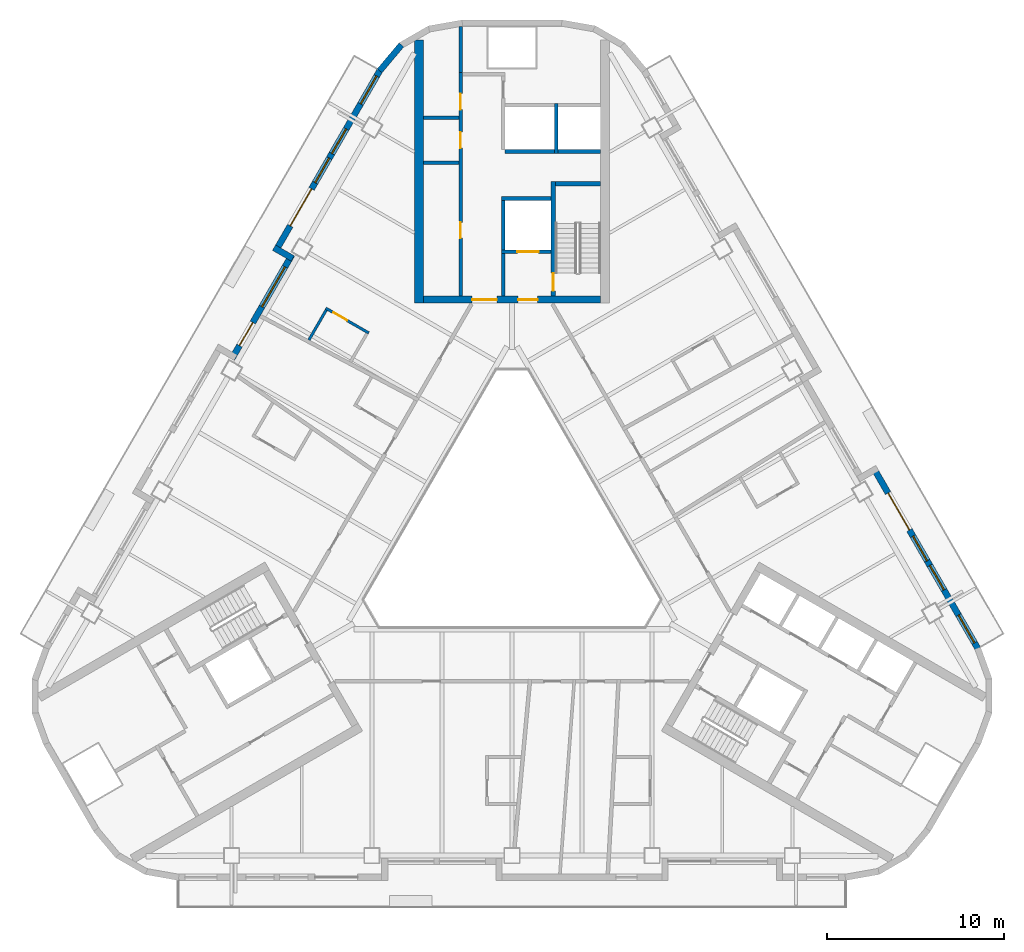
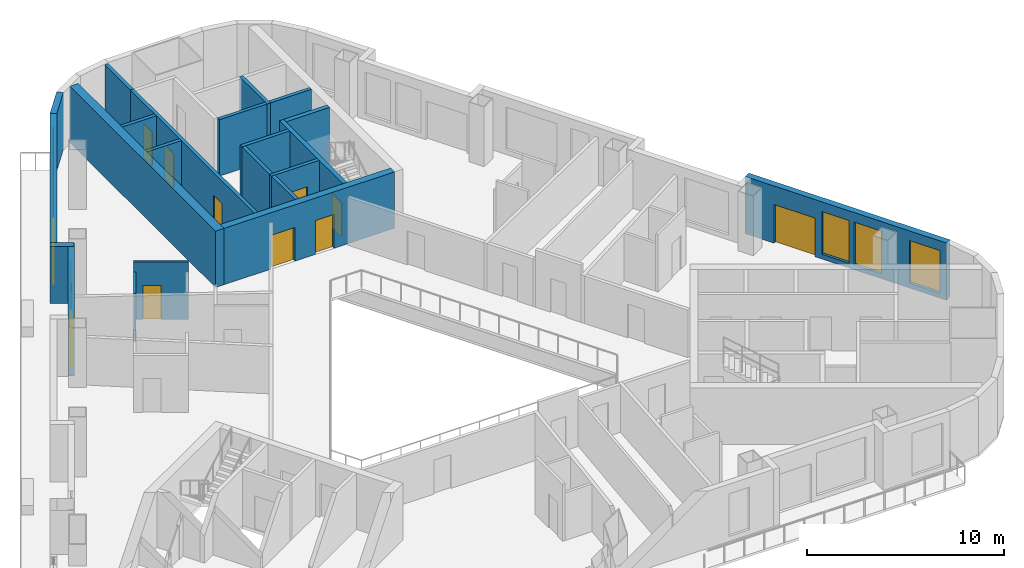
# One storey, part 6 of 13: 22 walls, 11 doors, 7 windows, 18 openings.
"""IFC4 building model written with IfcOpenShell, lengths in metres."""

from ifc_helpers import new_model, si_unit, direction, frame, frame_2d, origin, place, context, subcontext, project, spatial, rectangle, extrude, material, layer, layer_set, type_object, element, fill, save


model = new_model("IFC4")

# Units and contexts
model_context = context("Model", 3, precision=1e-05, world=origin(), true_north=direction((0.0, 1.0)))
body_context = subcontext(model_context, "Body", "Model", "MODEL_VIEW")
ifc_project = project(units=[si_unit("LENGTHUNIT", "METRE"), si_unit("AREAUNIT", "SQUARE_METRE"), si_unit("VOLUMEUNIT", "CUBIC_METRE"), si_unit("PLANEANGLEUNIT", "RADIAN"), si_unit("MASSUNIT", "GRAM", prefix="KILO")], contexts=[model_context])

# Site, building, storey
site_placement = place(None, origin())
site = spatial("IfcSite", under=ifc_project, at=site_placement, CompositionType="ELEMENT")
building_placement = place(site_placement, origin())
building = spatial("IfcBuilding", under=site, at=building_placement, Name="Apuvela Tower Hotel", CompositionType="ELEMENT")
storey_placement = place(building_placement, frame((0.0, 0.0, 124.199951171875)))
storey = spatial("IfcBuildingStorey", under=building, at=storey_placement, Name="L29", CompositionType="ELEMENT", Elevation=124.199951171875)

# Wall, openings, doors
ifc_material_1 = material(Name="Concrete C50/60", Category="concrete")
ifc_layer_1 = layer(ifc_material_1, 0.39990234375)
ifc_layer_set_1 = layer_set([ifc_layer_1], Name="COR-WALL-CORE-400")
wall_type_1 = type_object("IfcWallType", Name="COR-WALL-CORE-400", PredefinedType="SHEAR", material=ifc_layer_set_1)
wall_1_placement = place(storey_placement, frame((5.0, 13.10009765625, 0.0), z_axis=(0.0, 0.0, 1.0), x_axis=(-1.0, 0.0, 0.0)))
wall_1 = element("IfcWall", 1, at=wall_1_placement, inside=storey, type_object=wall_type_1, Name="Core wall N", PredefinedType="SHEAR", context=body_context, shape_type="SweptSolid", body=[
    extrude(rectangle(XDim=10.0, YDim=0.39990234375, at=frame_2d((5.0, 0.0))), origin(), (0.0, 0.0, 1.0), 3.5),
])
opening_1_placement = place(wall_1_placement, frame((3.550048828125, 0.0, 0.0)))
opening_1 = element("IfcOpeningElement", 2, at=opening_1_placement, cuts=wall_1, Name="Opening N-FD", PredefinedType="OPENING", context=body_context, shape_type="SweptSolid", body=[
    extrude(rectangle(XDim=1.10009765625, YDim=2.10009765625, at=frame_2d((0.550048828125, 1.050048828125))), frame((0.0, 0.2099609375, 0.0), z_axis=(0.0, -1.0, 0.0), x_axis=(1.0, 0.0, 0.0)), (0.0, 0.0, 1.0), 0.419921875),
])
opening_2_placement = place(wall_1_placement, frame((5.85009765625, 0.0, 0.0)))
opening_2 = element("IfcOpeningElement", 3, at=opening_2_placement, cuts=wall_1, Name="Opening N-GD", PredefinedType="OPENING", context=body_context, shape_type="SweptSolid", body=[
    extrude(rectangle(XDim=1.39990234375, YDim=2.10009765625, at=frame_2d((0.699951171875, 1.050048828125))), frame((0.0, 0.2099609375, 0.0), z_axis=(0.0, -1.0, 0.0), x_axis=(1.0, 0.0, 0.0)), (0.0, 0.0, 1.0), 0.419921875),
])
ifc_material_2 = material(Name="Steel fire door, powder coated", Category="steel")
door_type_1 = type_object("IfcDoorType", Name="COR-FD-1100", OperationType="NOTDEFINED", PredefinedType="DOOR", material=ifc_material_2)
door_1_placement = place(opening_1_placement, frame((1.10009765625, 0.0, 0.0), z_axis=(0.0, 0.0, 1.0), x_axis=(-1.0, 0.0, 0.0)))
door_1 = element("IfcDoor", 4, at=door_1_placement, inside=storey, type_object=door_type_1, Name="Firefighting lobby door N-FD", OperationType="SINGLE_SWING_LEFT", OverallHeight=2.10009765625, OverallWidth=1.10009765625, PredefinedType="DOOR", context=body_context, shape_type="SweptSolid", body=[
    extrude(rectangle(XDim=1.10009765625, YDim=2.10009765625, at=frame_2d((0.550048828125, 1.050048828125))), frame((0.0, 0.02490234375, 0.0), z_axis=(0.0, -1.0, 0.0), x_axis=(1.0, 0.0, 0.0)), (0.0, 0.0, 1.0), 0.050048828125),
])
fill(opening_1, door_1)
ifc_material_3 = material(Name="Glazed steel fire door", Category="steel")
door_type_2 = type_object("IfcDoorType", Name="COR-GD-1400", OperationType="DOUBLE_DOOR_SINGLE_SWING", PredefinedType="DOOR", material=ifc_material_3)
door_2_placement = place(opening_2_placement, frame((1.39990234375, 0.0, 0.0), z_axis=(0.0, 0.0, 1.0), x_axis=(-1.0, 0.0, 0.0)))
door_2 = element("IfcDoor", 5, at=door_2_placement, inside=storey, type_object=door_type_2, Name="Lift lobby door N-GD", OperationType="DOUBLE_DOOR_SINGLE_SWING", OverallHeight=2.10009765625, OverallWidth=1.39990234375, PredefinedType="DOOR", context=body_context, shape_type="SweptSolid", body=[
    extrude(rectangle(XDim=1.39990234375, YDim=2.10009765625, at=frame_2d((0.699951171875, 1.050048828125))), frame((0.0, 0.02490234375, 0.0), z_axis=(0.0, -1.0, 0.0), x_axis=(1.0, 0.0, 0.0)), (0.0, 0.0, 1.0), 0.050048828125),
])
fill(opening_2, door_2)

# Walls
ifc_layer_2 = layer(ifc_material_1, 0.5)
ifc_layer_set_2 = layer_set([ifc_layer_2], Name="COR-WALL-CORE-500")
wall_type_2 = type_object("IfcWallType", Name="COR-WALL-CORE-500", PredefinedType="SHEAR", material=ifc_layer_set_2)
wall_2_placement = place(storey_placement, frame((-5.25, 12.89990234375, 0.0), z_axis=(0.0, 0.0, 1.0), x_axis=(0.0, 1.0, 0.0)))
element("IfcWall", 6, at=wall_2_placement, inside=storey, type_object=wall_type_2, Name="Core wall N", PredefinedType="SHEAR", context=body_context, shape_type="SweptSolid", body=[
    extrude(rectangle(XDim=14.8369140625, YDim=0.5, at=frame_2d((7.41845703125, 0.0))), origin(), (0.0, 0.0, 1.0), 3.5),
])
ifc_material_4 = material(Name="Blockwork 200 mm plastered", Category="masonry")
ifc_layer_3 = layer(ifc_material_4, 0.199951171875)
ifc_layer_set_3 = layer_set([ifc_layer_3], Name="COR-WALL-PART-200")
wall_type_3 = type_object("IfcWallType", Name="COR-WALL-PART-200", PredefinedType="PARTITIONING", material=ifc_layer_set_3)
wall_3_placement = place(storey_placement, frame((5.0, 21.449951171875, 0.0), z_axis=(0.0, 0.0, 1.0), x_axis=(-1.0, 0.0, 0.0)))
element("IfcWall", 7, at=wall_3_placement, inside=storey, type_object=wall_type_3, Name="Partition N", PredefinedType="PARTITIONING", context=body_context, shape_type="SweptSolid", body=[
    extrude(rectangle(XDim=2.39990234375, YDim=0.199951171875, at=frame_2d((1.199951171875, 0.0))), origin(), (0.0, 0.0, 1.0), 3.5),
])
wall_4_placement = place(storey_placement, frame((2.39990234375, 21.449951171875, 0.0), z_axis=(0.0, 0.0, 1.0), x_axis=(-1.0, 0.0, 0.0)))
element("IfcWall", 8, at=wall_4_placement, inside=storey, type_object=wall_type_3, Name="Partition N", PredefinedType="PARTITIONING", context=body_context, shape_type="SweptSolid", body=[
    extrude(rectangle(XDim=2.7998046875, YDim=0.199951171875, at=frame_2d((1.39990234375, 0.0))), origin(), (0.0, 0.0, 1.0), 3.5),
])
ifc_layer_4 = layer(ifc_material_1, 0.199951171875)
ifc_layer_set_4 = layer_set([ifc_layer_4], Name="COR-WALL-SHAFT-200")
wall_type_4 = type_object("IfcWallType", Name="COR-WALL-SHAFT-200", PredefinedType="SHEAR", material=ifc_layer_set_4)
wall_5_placement = place(storey_placement, frame((2.199951171875, 18.800048828125, 0.0), z_axis=(0.0, 0.0, 1.0), x_axis=(-1.0, 0.0, 0.0)))
element("IfcWall", 9, at=wall_5_placement, inside=storey, type_object=wall_type_4, Name="Shaft wall N", PredefinedType="SHEAR", context=body_context, shape_type="SweptSolid", body=[
    extrude(rectangle(XDim=2.800048828125, YDim=0.199951171875, at=frame_2d((1.39990234375, 0.0))), origin(), (0.0, 0.0, 1.0), 3.5),
])

# Wall, opening, door
wall_6_placement = place(storey_placement, frame((2.199951171875, 15.800048828125, 0.0), z_axis=(0.0, 0.0, 1.0), x_axis=(-1.0, 0.0, 0.0)))
wall_6 = element("IfcWall", 10, at=wall_6_placement, inside=storey, type_object=wall_type_4, Name="Shaft wall N", PredefinedType="SHEAR", context=body_context, shape_type="SweptSolid", body=[
    extrude(rectangle(XDim=2.800048828125, YDim=0.199951171875, at=frame_2d((1.39990234375, 0.0))), origin(), (0.0, 0.0, 1.0), 3.5),
])
opening_3_placement = place(wall_6_placement, frame((0.699951171875, 0.0, 0.0)))
opening_3 = element("IfcOpeningElement", 11, at=opening_3_placement, cuts=wall_6, Name="Opening N-LD-FS1", PredefinedType="OPENING", context=body_context, shape_type="SweptSolid", body=[
    extrude(rectangle(XDim=1.199951171875, YDim=2.10009765625, at=frame_2d((0.60009765625, 1.050048828125))), frame((0.0, 0.10986328125, 0.0), z_axis=(0.0, -1.0, 0.0), x_axis=(1.0, 0.0, 0.0)), (0.0, 0.0, 1.0), 0.219970703125),
])
ifc_material_5 = material(Name="Stainless steel lift landing door", Category="steel")
door_type_3 = type_object("IfcDoorType", Name="COR-LD-1200", OperationType="DOUBLE_DOOR_SLIDING", PredefinedType="DOOR", material=ifc_material_5)
door_3_placement = place(opening_3_placement, origin())
door_3 = element("IfcDoor", 12, at=door_3_placement, inside=storey, type_object=door_type_3, Name="Lift landing door N-LD-FS1", OperationType="DOUBLE_DOOR_SLIDING", OverallHeight=2.10009765625, OverallWidth=1.199951171875, PredefinedType="DOOR", context=body_context, shape_type="SweptSolid", body=[
    extrude(rectangle(XDim=1.199951171875, YDim=2.10009765625, at=frame_2d((0.60009765625, 1.050048828125))), frame((0.0, 0.02490234375, 0.0), z_axis=(0.0, -1.0, 0.0), x_axis=(1.0, 0.0, 0.0)), (0.0, 0.0, 1.0), 0.050048828125),
])
fill(opening_3, door_3)

# Walls
wall_7_placement = place(storey_placement, frame((-0.5, 15.89990234375, 0.0), z_axis=(0.0, 0.0, 1.0), x_axis=(0.0, 1.0, 0.0)))
element("IfcWall", 13, at=wall_7_placement, inside=storey, type_object=wall_type_4, Name="Shaft wall N", PredefinedType="SHEAR", context=body_context, shape_type="SweptSolid", body=[
    extrude(rectangle(XDim=2.800048828125, YDim=0.199951171875, at=frame_2d((1.39990234375, 0.0))), origin(), (0.0, 0.0, 1.0), 3.5),
])
wall_8_placement = place(storey_placement, frame((-0.5, 13.300048828125, 0.0), z_axis=(0.0, 0.0, 1.0), x_axis=(0.0, 1.0, 0.0)))
element("IfcWall", 14, at=wall_8_placement, inside=storey, type_object=wall_type_4, Name="Shaft wall N", PredefinedType="SHEAR", context=body_context, shape_type="SweptSolid", body=[
    extrude(rectangle(XDim=2.39990234375, YDim=0.199951171875, at=frame_2d((1.199951171875, 0.0))), origin(), (0.0, 0.0, 1.0), 3.5),
])

# Wall, openings, doors
wall_9_placement = place(storey_placement, frame((-2.89990234375, 13.300048828125, 0.0), z_axis=(0.0, 0.0, 1.0), x_axis=(0.0, 1.0, 0.0)))
wall_9 = element("IfcWall", 15, at=wall_9_placement, inside=storey, type_object=wall_type_4, Name="Shaft wall N", PredefinedType="SHEAR", context=body_context, shape_type="SweptSolid", body=[
    extrude(rectangle(XDim=12.599853515625, YDim=0.199951171875, at=frame_2d((6.2998046875, 0.0))), origin(), (0.0, 0.0, 1.0), 3.5),
])
opening_4_placement = place(wall_9_placement, frame((3.260009765625, 0.0, 0.0)))
opening_4 = element("IfcOpeningElement", 16, at=opening_4_placement, cuts=wall_9, Name="Opening N-RE1", PredefinedType="OPENING", context=body_context, shape_type="SweptSolid", body=[
    extrude(rectangle(XDim=0.89990234375, YDim=2.10009765625, at=frame_2d((0.449951171875, 1.050048828125))), frame((0.0, 0.10986328125, 0.0), z_axis=(0.0, -1.0, 0.0), x_axis=(1.0, 0.0, 0.0)), (0.0, 0.0, 1.0), 0.219970703125),
])
opening_5_placement = place(wall_9_placement, frame((8.340087890625, 0.0, 0.0)))
opening_5 = element("IfcOpeningElement", 17, at=opening_5_placement, cuts=wall_9, Name="Opening N-RE4", PredefinedType="OPENING", context=body_context, shape_type="SweptSolid", body=[
    extrude(rectangle(XDim=0.89990234375, YDim=2.10009765625, at=frame_2d((0.449951171875, 1.050048828125))), frame((0.0, 0.10986328125, 0.0), z_axis=(0.0, -1.0, 0.0), x_axis=(1.0, 0.0, 0.0)), (0.0, 0.0, 1.0), 0.219970703125),
])
opening_6_placement = place(wall_9_placement, frame((10.510009765625, 0.0, 0.0)))
opening_6 = element("IfcOpeningElement", 18, at=opening_6_placement, cuts=wall_9, Name="Opening N-REP", PredefinedType="OPENING", context=body_context, shape_type="SweptSolid", body=[
    extrude(rectangle(XDim=0.89990234375, YDim=2.10009765625, at=frame_2d((0.449951171875, 1.050048828125))), frame((0.0, 0.10986328125, 0.0), z_axis=(0.0, -1.0, 0.0), x_axis=(1.0, 0.0, 0.0)), (0.0, 0.0, 1.0), 0.219970703125),
])
door_type_4 = type_object("IfcDoorType", Name="COR-DR-900", OperationType="NOTDEFINED", PredefinedType="DOOR", material=ifc_material_2)
door_4_placement = place(opening_4_placement, origin())
door_4 = element("IfcDoor", 19, at=door_4_placement, inside=storey, type_object=door_type_4, Name="Store door N-RE1", OperationType="SINGLE_SWING_LEFT", OverallHeight=2.10009765625, OverallWidth=0.89990234375, PredefinedType="DOOR", context=body_context, shape_type="SweptSolid", body=[
    extrude(rectangle(XDim=0.89990234375, YDim=2.10009765625, at=frame_2d((0.449951171875, 1.050048828125))), frame((0.0, 0.02490234375, 0.0), z_axis=(0.0, -1.0, 0.0), x_axis=(1.0, 0.0, 0.0)), (0.0, 0.0, 1.0), 0.050048828125),
])
fill(opening_4, door_4)
door_5_placement = place(opening_5_placement, origin())
door_5 = element("IfcDoor", 20, at=door_5_placement, inside=storey, type_object=door_type_4, Name="Store door N-RE4", OperationType="SINGLE_SWING_LEFT", OverallHeight=2.10009765625, OverallWidth=0.89990234375, PredefinedType="DOOR", context=body_context, shape_type="SweptSolid", body=[
    extrude(rectangle(XDim=0.89990234375, YDim=2.10009765625, at=frame_2d((0.449951171875, 1.050048828125))), frame((0.0, 0.02490234375, 0.0), z_axis=(0.0, -1.0, 0.0), x_axis=(1.0, 0.0, 0.0)), (0.0, 0.0, 1.0), 0.050048828125),
])
fill(opening_5, door_5)
door_6_placement = place(opening_6_placement, origin())
door_6 = element("IfcDoor", 21, at=door_6_placement, inside=storey, type_object=door_type_4, Name="Store door N-REP", OperationType="SINGLE_SWING_RIGHT", OverallHeight=2.10009765625, OverallWidth=0.89990234375, PredefinedType="DOOR", context=body_context, shape_type="SweptSolid", body=[
    extrude(rectangle(XDim=0.89990234375, YDim=2.10009765625, at=frame_2d((0.449951171875, 1.050048828125))), frame((0.0, 0.02490234375, 0.0), z_axis=(0.0, -1.0, 0.0), x_axis=(1.0, 0.0, 0.0)), (0.0, 0.0, 1.0), 0.050048828125),
])
fill(opening_6, door_6)

# Walls
for number, where, z_axis, x_axis, name in (
    (22, (-3.0, 20.820068359375, 0.0), (0.0, 0.0, 1.0), (-1.0, 0.0, 0.0), "Shaft wall N"),
    (23, (-3.0, 23.360107421875, 0.0), (0.0, 0.0, 1.0), (-1.0, 0.0, 0.0), "Shaft wall N"),
):
    element("IfcWall", number, at=place(storey_placement, frame(where, z_axis=z_axis, x_axis=x_axis)), inside=storey, type_object=wall_type_4, Name=name, PredefinedType="SHEAR", context=body_context, shape_type="SweptSolid", body=[
        extrude(rectangle(XDim=2.0, YDim=0.199951171875, at=frame_2d((1.0, 0.0))), origin(), (0.0, 0.0, 1.0), 3.5),
    ])
wall_10_placement = place(storey_placement, frame((-2.89990234375, 25.89990234375, 0.0), z_axis=(0.0, 0.0, 1.0), x_axis=(0.0, 1.0, 0.0)))
element("IfcWall", 24, at=wall_10_placement, inside=storey, type_object=wall_type_4, Name="Shaft wall N", PredefinedType="SHEAR", context=body_context, shape_type="SweptSolid", body=[
    extrude(rectangle(XDim=2.60009765625, YDim=0.199951171875, at=frame_2d((1.300048828125, 0.0))), origin(), (0.0, 0.0, 1.0), 3.5),
])
wall_11_placement = place(storey_placement, frame((2.5, 21.35009765625, 0.0), z_axis=(0.0, 0.0, 1.0), x_axis=(0.0, 1.0, 0.0)))
element("IfcWall", 25, at=wall_11_placement, inside=storey, type_object=wall_type_4, Name="Shaft wall N", PredefinedType="SHEAR", context=body_context, shape_type="SweptSolid", body=[
    extrude(rectangle(XDim=2.7998046875, YDim=0.199951171875, at=frame_2d((1.39990234375, 0.0))), origin(), (0.0, 0.0, 1.0), 3.5),
])

# Wall, opening, door
ifc_layer_5 = layer(ifc_material_1, 0.25)
ifc_layer_set_5 = layer_set([ifc_layer_5], Name="COR-WALL-STAIR-250")
wall_type_5 = type_object("IfcWallType", Name="COR-WALL-STAIR-250", PredefinedType="SHEAR", material=ifc_layer_set_5)
wall_12_placement = place(storey_placement, frame((2.324951171875, 13.300048828125, 0.0), z_axis=(0.0, 0.0, 1.0), x_axis=(0.0, 1.0, 0.0)))
wall_12 = element("IfcWall", 26, at=wall_12_placement, inside=storey, type_object=wall_type_5, Name="Stair wall N", PredefinedType="SHEAR", context=body_context, shape_type="SweptSolid", body=[
    extrude(rectangle(XDim=6.449951171875, YDim=0.25, at=frame_2d((3.22509765625, 0.0))), origin(), (0.0, 0.0, 1.0), 3.5),
])
opening_7_placement = place(wall_12_placement, frame((0.300048828125, 0.0, 0.0)))
opening_7 = element("IfcOpeningElement", 27, at=opening_7_placement, cuts=wall_12, Name="Opening N-SD", PredefinedType="OPENING", context=body_context, shape_type="SweptSolid", body=[
    extrude(rectangle(XDim=1.0, YDim=2.10009765625, at=frame_2d((0.5, 1.050048828125))), frame((0.0, 0.135009765625, 0.0), z_axis=(0.0, -1.0, 0.0), x_axis=(1.0, 0.0, 0.0)), (0.0, 0.0, 1.0), 0.27001953125),
])
door_type_5 = type_object("IfcDoorType", Name="COR-SD-1000", OperationType="NOTDEFINED", PredefinedType="DOOR", material=ifc_material_2)
door_7_placement = place(opening_7_placement, frame((1.0, 0.0, 0.0), z_axis=(0.0, 0.0, 1.0), x_axis=(-1.0, 0.0, 0.0)))
door_7 = element("IfcDoor", 28, at=door_7_placement, inside=storey, type_object=door_type_5, Name="Stair door N-SD", OperationType="SINGLE_SWING_LEFT", OverallHeight=2.10009765625, OverallWidth=1.0, PredefinedType="DOOR", context=body_context, shape_type="SweptSolid", body=[
    extrude(rectangle(XDim=1.0, YDim=2.10009765625, at=frame_2d((0.5, 1.050048828125))), frame((0.0, 0.02490234375, 0.0), z_axis=(0.0, -1.0, 0.0), x_axis=(1.0, 0.0, 0.0)), (0.0, 0.0, 1.0), 0.050048828125),
])
fill(opening_7, door_7)

# Wall
wall_13_placement = place(storey_placement, frame((5.0, 19.625, 0.0), z_axis=(0.0, 0.0, 1.0), x_axis=(-1.0, 0.0, 0.0)))
element("IfcWall", 29, at=wall_13_placement, inside=storey, type_object=wall_type_5, Name="Stair wall N", PredefinedType="SHEAR", context=body_context, shape_type="SweptSolid", body=[
    extrude(rectangle(XDim=2.550048828125, YDim=0.25, at=frame_2d((1.27490234375, 0.0))), origin(), (0.0, 0.0, 1.0), 3.5),
])

# Wall, openings, door, windows
ifc_material_6 = material(Name="Concrete C40/50, dark pigmented precast panel", Category="concrete")
ifc_layer_6 = layer(ifc_material_6, 0.35009765625)
ifc_layer_set_6 = layer_set([ifc_layer_6], Name="ENV-WALL-350")
wall_type_6 = type_object("IfcWallType", Name="ENV-WALL-350", PredefinedType="SOLIDWALL", material=ifc_layer_set_6)
wall_14_placement = place(storey_placement, frame((-7.440673828125, 26.0224609375, 0.0), z_axis=(0.0, 0.0, 1.0), x_axis=(-0.499992533062, -0.86602971478, 0.0)))
wall_14 = element("IfcWall", 30, at=wall_14_placement, inside=storey, type_object=wall_type_6, Name="External wall L29-01", PredefinedType="SOLIDWALL", context=body_context, shape_type="SweptSolid", body=[
    extrude(rectangle(XDim=11.815673828125, YDim=0.35009765625, at=frame_2d((5.90771484375, 0.0))), origin(), (0.0, 0.0, 1.0), 3.550048828125),
])
opening_8_placement = place(wall_14_placement, frame((0.381103515625, 0.0, 0.300048828125)))
opening_8 = element("IfcOpeningElement", 31, at=opening_8_placement, cuts=wall_14, Name="Opening WN18", PredefinedType="OPENING", context=body_context, shape_type="SweptSolid", body=[
    extrude(rectangle(XDim=1.800048828125, YDim=2.64990234375, at=frame_2d((0.89990234375, 1.324951171875))), frame((0.0, 0.18505859375, 0.0), z_axis=(0.0, -1.0, 0.0), x_axis=(1.0, 0.0, 0.0)), (0.0, 0.0, 1.0), 0.3701171875),
])
opening_9_placement = place(wall_14_placement, frame((7.7158203125, 0.0, 0.0)))
opening_9 = element("IfcOpeningElement", 32, at=opening_9_placement, cuts=wall_14, Name="Opening BD24", PredefinedType="OPENING", context=body_context, shape_type="SweptSolid", body=[
    extrude(rectangle(XDim=2.39990234375, YDim=2.39990234375, at=frame_2d((1.199951171875, 1.199951171875))), frame((0.0, 0.18505859375, 0.0), z_axis=(0.0, -1.0, 0.0), x_axis=(1.0, 0.0, 0.0)), (0.0, 0.0, 1.0), 0.3701171875),
])
opening_10_placement = place(wall_14_placement, frame((3.815185546875, 0.0, 0.300048828125)))
opening_10 = element("IfcOpeningElement", 33, at=opening_10_placement, cuts=wall_14, Name="Opening WN16", PredefinedType="OPENING", context=body_context, shape_type="SweptSolid", body=[
    extrude(rectangle(XDim=1.60009765625, YDim=2.64990234375, at=frame_2d((0.800048828125, 1.324951171875))), frame((0.0, 0.18505859375, 0.0), z_axis=(0.0, -1.0, 0.0), x_axis=(1.0, 0.0, 0.0)), (0.0, 0.0, 1.0), 0.3701171875),
])
opening_11_placement = place(wall_14_placement, frame((5.715087890625, 0.0, 0.300048828125)))
opening_11 = element("IfcOpeningElement", 34, at=opening_11_placement, cuts=wall_14, Name="Opening WN16", PredefinedType="OPENING", context=body_context, shape_type="SweptSolid", body=[
    extrude(rectangle(XDim=1.60009765625, YDim=2.64990234375, at=frame_2d((0.800048828125, 1.324951171875))), frame((0.0, 0.18505859375, 0.0), z_axis=(0.0, -1.0, 0.0), x_axis=(1.0, 0.0, 0.0)), (0.0, 0.0, 1.0), 0.3701171875),
])
ifc_material_7 = material(Name="Aluminium 6063-T6, dark bronze anodised frame with dark tinted laminated glass", Category="aluminium")
door_type_6 = type_object("IfcDoorType", Name="ENV-DOOR-BALCONY-2400x2400", OperationType="SLIDING_TO_LEFT", PredefinedType="DOOR", material=ifc_material_7)
door_8_placement = place(opening_9_placement, frame((2.39990234375, 0.0, 0.0), z_axis=(0.0, 0.0, 1.0), x_axis=(-1.0, 0.0, 0.0)))
door_8 = element("IfcDoor", 35, at=door_8_placement, inside=storey, type_object=door_type_6, Name="Balcony door BD24", OperationType="SLIDING_TO_LEFT", OverallHeight=2.39990234375, OverallWidth=2.39990234375, PredefinedType="DOOR", context=body_context, shape_type="SweptSolid", body=[
    extrude(rectangle(XDim=2.39990234375, YDim=2.39990234375, at=frame_2d((1.199951171875, 1.199951171875))), frame((0.0, 0.02490234375, 0.0), z_axis=(0.0, -1.0, 0.0), x_axis=(1.0, 0.0, 0.0)), (0.0, 0.0, 1.0), 0.050048828125),
])
fill(opening_9, door_8)
ifc_material_8 = material(Name="Glass, dark tinted laminated insulated glazing unit", Category="glass")
window_type_1 = type_object("IfcWindowType", Name="ENV-WIN-1600x2650", PartitioningType="SINGLE_PANEL", PredefinedType="WINDOW", material=ifc_material_8)
window_1_placement = place(opening_10_placement, origin())
window_1 = element("IfcWindow", 36, at=window_1_placement, inside=storey, type_object=window_type_1, Name="Window WN16", OverallHeight=2.64990234375, OverallWidth=1.60009765625, PartitioningType="SINGLE_PANEL", PredefinedType="WINDOW", context=body_context, shape_type="SweptSolid", body=[
    extrude(rectangle(XDim=1.60009765625, YDim=2.64990234375, at=frame_2d((0.800048828125, 1.324951171875))), frame((0.0, 0.030029296875, 0.0), z_axis=(0.0, -1.0, 0.0), x_axis=(1.0, 0.0, 0.0)), (0.0, 0.0, 1.0), 0.06005859375),
])
fill(opening_10, window_1)
window_2_placement = place(opening_11_placement, origin())
window_2 = element("IfcWindow", 37, at=window_2_placement, inside=storey, type_object=window_type_1, Name="Window WN16", OverallHeight=2.64990234375, OverallWidth=1.60009765625, PartitioningType="SINGLE_PANEL", PredefinedType="WINDOW", context=body_context, shape_type="SweptSolid", body=[
    extrude(rectangle(XDim=1.60009765625, YDim=2.64990234375, at=frame_2d((0.800048828125, 1.324951171875))), frame((0.0, 0.030029296875, 0.0), z_axis=(0.0, -1.0, 0.0), x_axis=(1.0, 0.0, 0.0)), (0.0, 0.0, 1.0), 0.06005859375),
])
fill(opening_11, window_2)
window_type_2 = type_object("IfcWindowType", Name="ENV-WIN-1800x2650", PartitioningType="SINGLE_PANEL", PredefinedType="WINDOW", material=ifc_material_8)
window_3_placement = place(opening_8_placement, origin())
window_3 = element("IfcWindow", 38, at=window_3_placement, inside=storey, type_object=window_type_2, Name="Window WN18", OverallHeight=2.64990234375, OverallWidth=1.800048828125, PartitioningType="SINGLE_PANEL", PredefinedType="WINDOW", context=body_context, shape_type="SweptSolid", body=[
    extrude(rectangle(XDim=1.800048828125, YDim=2.64990234375, at=frame_2d((0.89990234375, 1.324951171875))), frame((0.0, 0.030029296875, 0.0), z_axis=(0.0, -1.0, 0.0), x_axis=(1.0, 0.0, 0.0)), (0.0, 0.0, 1.0), 0.06005859375),
])
fill(opening_8, window_3)

# Wall
wall_15_placement = place(storey_placement, frame((-13.41259765625, 16.02880859375, 0.0), z_axis=(0.0, 0.0, 1.0), x_axis=(0.866005645448, -0.500034220881, 0.0)))
element("IfcWall", 39, at=wall_15_placement, inside=storey, type_object=wall_type_6, Name="External wall L29-02", PredefinedType="SOLIDWALL", context=body_context, shape_type="SweptSolid", body=[
    extrude(rectangle(XDim=1.22021484375, YDim=0.35009765625, at=frame_2d((0.610107421875, 0.0))), origin(), (0.0, 0.0, 1.0), 3.550048828125),
])

# Wall, openings, door, window
wall_16_placement = place(storey_placement, frame((-12.408935546875, 15.616943359375, 0.0), z_axis=(0.0, 0.0, 1.0), x_axis=(-0.500003597184, -0.866023326939, 0.0)))
wall_16 = element("IfcWall", 40, at=wall_16_placement, inside=storey, type_object=wall_type_6, Name="External wall L29-03", PredefinedType="SOLIDWALL", context=body_context, shape_type="SweptSolid", body=[
    extrude(rectangle(XDim=6.740234375, YDim=0.35009765625, at=frame_2d((3.3701171875, 0.0))), origin(), (0.0, 0.0, 1.0), 3.550048828125),
])
opening_12_placement = place(wall_16_placement, frame((0.77001953125, 0.0, 0.300048828125)))
opening_12 = element("IfcOpeningElement", 41, at=opening_12_placement, cuts=wall_16, Name="Opening WN26", PredefinedType="OPENING", context=body_context, shape_type="SweptSolid", body=[
    extrude(rectangle(XDim=2.60009765625, YDim=2.64990234375, at=frame_2d((1.300048828125, 1.324951171875))), frame((0.0, 0.18505859375, 0.0), z_axis=(0.0, -1.0, 0.0), x_axis=(1.0, 0.0, 0.0)), (0.0, 0.0, 1.0), 0.3701171875),
])
opening_13_placement = place(wall_16_placement, frame((4.394287109375, 0.0, 0.0)))
opening_13 = element("IfcOpeningElement", 42, at=opening_13_placement, cuts=wall_16, Name="Opening BD15", PredefinedType="OPENING", context=body_context, shape_type="SweptSolid", body=[
    extrude(rectangle(XDim=1.5, YDim=2.39990234375, at=frame_2d((0.75, 1.199951171875))), frame((0.0, 0.18505859375, 0.0), z_axis=(0.0, -1.0, 0.0), x_axis=(1.0, 0.0, 0.0)), (0.0, 0.0, 1.0), 0.3701171875),
])
door_type_7 = type_object("IfcDoorType", Name="ENV-DOOR-BALCONY-1500x2400", OperationType="SLIDING_TO_LEFT", PredefinedType="DOOR", material=ifc_material_7)
door_9_placement = place(opening_13_placement, frame((1.5, 0.0, 0.0), z_axis=(0.0, 0.0, 1.0), x_axis=(-1.0, 0.0, 0.0)))
door_9 = element("IfcDoor", 43, at=door_9_placement, inside=storey, type_object=door_type_7, Name="Balcony door BD15", OperationType="SLIDING_TO_LEFT", OverallHeight=2.39990234375, OverallWidth=1.5, PredefinedType="DOOR", context=body_context, shape_type="SweptSolid", body=[
    extrude(rectangle(XDim=1.5, YDim=2.39990234375, at=frame_2d((0.75, 1.199951171875))), frame((0.0, 0.02490234375, 0.0), z_axis=(0.0, -1.0, 0.0), x_axis=(1.0, 0.0, 0.0)), (0.0, 0.0, 1.0), 0.050048828125),
])
fill(opening_13, door_9)
window_type_3 = type_object("IfcWindowType", Name="ENV-WIN-2600x2650", PartitioningType="SINGLE_PANEL", PredefinedType="WINDOW", material=ifc_material_8)
window_4_placement = place(opening_12_placement, origin())
window_4 = element("IfcWindow", 44, at=window_4_placement, inside=storey, type_object=window_type_3, Name="Window WN26", OverallHeight=2.64990234375, OverallWidth=2.60009765625, PartitioningType="SINGLE_PANEL", PredefinedType="WINDOW", context=body_context, shape_type="SweptSolid", body=[
    extrude(rectangle(XDim=2.60009765625, YDim=2.64990234375, at=frame_2d((1.300048828125, 1.324951171875))), frame((0.0, 0.030029296875, 0.0), z_axis=(0.0, -1.0, 0.0), x_axis=(1.0, 0.0, 0.0)), (0.0, 0.0, 1.0), 0.06005859375),
])
fill(opening_12, window_4)

# Wall, openings, door, windows
wall_17_placement = place(storey_placement, frame((26.256591796875, -6.5673828125, 0.0), z_axis=(0.0, 0.0, 1.0), x_axis=(-0.500023526245, 0.866011820475, 0.0)))
wall_17 = element("IfcWall", 45, at=wall_17_placement, inside=storey, type_object=wall_type_6, Name="External wall L29-33", PredefinedType="SOLIDWALL", context=body_context, shape_type="SweptSolid", body=[
    extrude(rectangle(XDim=11.81591796875, YDim=0.35009765625, at=frame_2d((5.907958984375, 0.0))), origin(), (0.0, 0.0, 1.0), 3.550048828125),
])
opening_14_placement = place(wall_17_placement, frame((0.380126953125, 0.0, 0.300048828125)))
opening_14 = element("IfcOpeningElement", 46, at=opening_14_placement, cuts=wall_17, Name="Opening WN18", PredefinedType="OPENING", context=body_context, shape_type="SweptSolid", body=[
    extrude(rectangle(XDim=1.800048828125, YDim=2.64990234375, at=frame_2d((0.89990234375, 1.324951171875))), frame((0.0, 0.18505859375, 0.0), z_axis=(0.0, -1.0, 0.0), x_axis=(1.0, 0.0, 0.0)), (0.0, 0.0, 1.0), 0.3701171875),
])
opening_15_placement = place(wall_17_placement, frame((7.71630859375, 0.0, 0.0)))
opening_15 = element("IfcOpeningElement", 47, at=opening_15_placement, cuts=wall_17, Name="Opening BD24", PredefinedType="OPENING", context=body_context, shape_type="SweptSolid", body=[
    extrude(rectangle(XDim=2.39990234375, YDim=2.39990234375, at=frame_2d((1.199951171875, 1.199951171875))), frame((0.0, 0.18505859375, 0.0), z_axis=(0.0, -1.0, 0.0), x_axis=(1.0, 0.0, 0.0)), (0.0, 0.0, 1.0), 0.3701171875),
])
opening_16_placement = place(wall_17_placement, frame((3.81591796875, 0.0, 0.300048828125)))
opening_16 = element("IfcOpeningElement", 48, at=opening_16_placement, cuts=wall_17, Name="Opening WN16", PredefinedType="OPENING", context=body_context, shape_type="SweptSolid", body=[
    extrude(rectangle(XDim=1.60009765625, YDim=2.64990234375, at=frame_2d((0.800048828125, 1.324951171875))), frame((0.0, 0.18505859375, 0.0), z_axis=(0.0, -1.0, 0.0), x_axis=(1.0, 0.0, 0.0)), (0.0, 0.0, 1.0), 0.3701171875),
])
opening_17_placement = place(wall_17_placement, frame((5.7158203125, 0.0, 0.300048828125)))
opening_17 = element("IfcOpeningElement", 49, at=opening_17_placement, cuts=wall_17, Name="Opening WN16", PredefinedType="OPENING", context=body_context, shape_type="SweptSolid", body=[
    extrude(rectangle(XDim=1.60009765625, YDim=2.64990234375, at=frame_2d((0.800048828125, 1.324951171875))), frame((0.0, 0.18505859375, 0.0), z_axis=(0.0, -1.0, 0.0), x_axis=(1.0, 0.0, 0.0)), (0.0, 0.0, 1.0), 0.3701171875),
])
door_10_placement = place(opening_15_placement, frame((2.39990234375, 0.0, 0.0), z_axis=(0.0, 0.0, 1.0), x_axis=(-1.0, 0.0, 0.0)))
door_10 = element("IfcDoor", 50, at=door_10_placement, inside=storey, type_object=door_type_6, Name="Balcony door BD24", OperationType="SLIDING_TO_LEFT", OverallHeight=2.39990234375, OverallWidth=2.39990234375, PredefinedType="DOOR", context=body_context, shape_type="SweptSolid", body=[
    extrude(rectangle(XDim=2.39990234375, YDim=2.39990234375, at=frame_2d((1.199951171875, 1.199951171875))), frame((0.0, 0.02490234375, 0.0), z_axis=(0.0, -1.0, 0.0), x_axis=(1.0, 0.0, 0.0)), (0.0, 0.0, 1.0), 0.050048828125),
])
fill(opening_15, door_10)
window_5_placement = place(opening_16_placement, origin())
window_5 = element("IfcWindow", 51, at=window_5_placement, inside=storey, type_object=window_type_1, Name="Window WN16", OverallHeight=2.64990234375, OverallWidth=1.60009765625, PartitioningType="SINGLE_PANEL", PredefinedType="WINDOW", context=body_context, shape_type="SweptSolid", body=[
    extrude(rectangle(XDim=1.60009765625, YDim=2.64990234375, at=frame_2d((0.800048828125, 1.324951171875))), frame((0.0, 0.030029296875, 0.0), z_axis=(0.0, -1.0, 0.0), x_axis=(1.0, 0.0, 0.0)), (0.0, 0.0, 1.0), 0.06005859375),
])
fill(opening_16, window_5)
window_6_placement = place(opening_17_placement, origin())
window_6 = element("IfcWindow", 52, at=window_6_placement, inside=storey, type_object=window_type_1, Name="Window WN16", OverallHeight=2.64990234375, OverallWidth=1.60009765625, PartitioningType="SINGLE_PANEL", PredefinedType="WINDOW", context=body_context, shape_type="SweptSolid", body=[
    extrude(rectangle(XDim=1.60009765625, YDim=2.64990234375, at=frame_2d((0.800048828125, 1.324951171875))), frame((0.0, 0.030029296875, 0.0), z_axis=(0.0, -1.0, 0.0), x_axis=(1.0, 0.0, 0.0)), (0.0, 0.0, 1.0), 0.06005859375),
])
fill(opening_17, window_6)
window_7_placement = place(opening_14_placement, origin())
window_7 = element("IfcWindow", 53, at=window_7_placement, inside=storey, type_object=window_type_2, Name="Window WN18", OverallHeight=2.64990234375, OverallWidth=1.800048828125, PartitioningType="SINGLE_PANEL", PredefinedType="WINDOW", context=body_context, shape_type="SweptSolid", body=[
    extrude(rectangle(XDim=1.800048828125, YDim=2.64990234375, at=frame_2d((0.89990234375, 1.324951171875))), frame((0.0, 0.030029296875, 0.0), z_axis=(0.0, -1.0, 0.0), x_axis=(1.0, 0.0, 0.0)), (0.0, 0.0, 1.0), 0.06005859375),
])
fill(opening_14, window_7)

# Wall
wall_18_placement = place(storey_placement, frame((-6.230224609375, 27.460693359375, 0.0), z_axis=(0.0, 0.0, 1.0), x_axis=(-0.642808304945, -0.766027077259, 0.0)))
element("IfcWall", 54, at=wall_18_placement, inside=storey, type_object=wall_type_6, Name="External wall L29-48", PredefinedType="SOLIDWALL", context=body_context, shape_type="SweptSolid", body=[
    extrude(rectangle(XDim=1.909912109375, YDim=0.35009765625, at=frame_2d((0.955078125, 0.0))), origin(), (0.0, 0.0, 1.0), 3.550048828125),
])

# Wall, opening, door
ifc_material_9 = material(Name="Moisture-resistant gypsum board wet wall on steel stud", Category="steel")
ifc_layer_7 = layer(ifc_material_9, 0.14990234375)
ifc_layer_set_7 = layer_set([ifc_layer_7], Name="GST-PW3")
wall_type_7 = type_object("IfcWallType", Name="GST-PW3", PredefinedType="PARTITIONING", material=ifc_layer_set_7)
wall_19_placement = place(storey_placement, frame((-8.07177734375, 11.219482421875, 0.0), z_axis=(0.0, 0.0, 1.0), x_axis=(-0.866034573852, 0.49998411664, 0.0)))
wall_19 = element("IfcWall", 55, at=wall_19_placement, inside=storey, type_object=wall_type_7, Name="L29 partition 30", PredefinedType="PARTITIONING", context=body_context, shape_type="SweptSolid", body=[
    extrude(rectangle(XDim=2.7998046875, YDim=0.14990234375, at=frame_2d((1.39990234375, 0.0))), origin(), (0.0, 0.0, 1.0), 3.550048828125),
])
opening_18_placement = place(wall_19_placement, frame((1.39990234375, 0.0, 0.0)))
opening_18 = element("IfcOpeningElement", 56, at=opening_18_placement, cuts=wall_19, Name="Opening GD11-13", PredefinedType="OPENING", context=body_context, shape_type="SweptSolid", body=[
    extrude(rectangle(XDim=0.89990234375, YDim=2.10009765625, at=frame_2d((0.449951171875, 1.050048828125))), frame((0.0, 0.0849609375, 0.0), z_axis=(0.0, -1.0, 0.0), x_axis=(1.0, 0.0, 0.0)), (0.0, 0.0, 1.0), 0.169921875),
])
ifc_material_10 = material(Name="Timber door leaf in steel frame", Category="steel")
door_type_8 = type_object("IfcDoorType", Name="GST-D2", OperationType="NOTDEFINED", PredefinedType="DOOR", material=ifc_material_10)
door_11_placement = place(opening_18_placement, origin())
door_11 = element("IfcDoor", 57, at=door_11_placement, inside=storey, type_object=door_type_8, Name="Door L29-13", OperationType="SINGLE_SWING_RIGHT", OverallHeight=2.10009765625, OverallWidth=0.89990234375, PredefinedType="DOOR", context=body_context, shape_type="SweptSolid", body=[
    extrude(rectangle(XDim=0.89990234375, YDim=2.10009765625, at=frame_2d((0.449951171875, 1.050048828125))), frame((0.0, 0.02490234375, 0.0), z_axis=(0.0, -1.0, 0.0), x_axis=(1.0, 0.0, 0.0)), (0.0, 0.0, 1.0), 0.050048828125),
])
fill(opening_18, door_11)

# Wall
wall_20_placement = place(storey_placement, frame((-10.468994140625, 12.51708984375, 0.0), z_axis=(0.0, 0.0, 1.0), x_axis=(-0.500051850797, -0.865995465643, 0.0)))
element("IfcWall", 58, at=wall_20_placement, inside=storey, type_object=wall_type_7, Name="L29 partition 31", PredefinedType="PARTITIONING", context=body_context, shape_type="SweptSolid", body=[
    extrude(rectangle(XDim=1.946044921875, YDim=0.14990234375, at=frame_2d((0.97314453125, 0.0))), origin(), (0.0, 0.0, 1.0), 2.949951171875),
])

save(model, "model.ifc")
